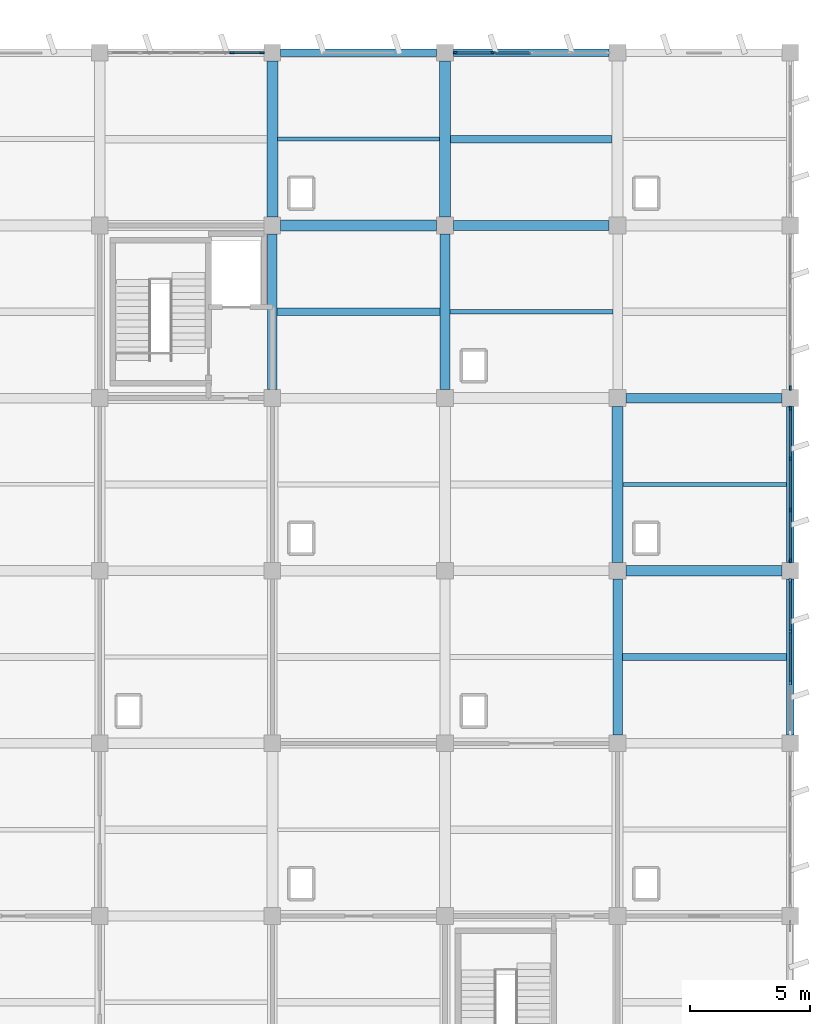
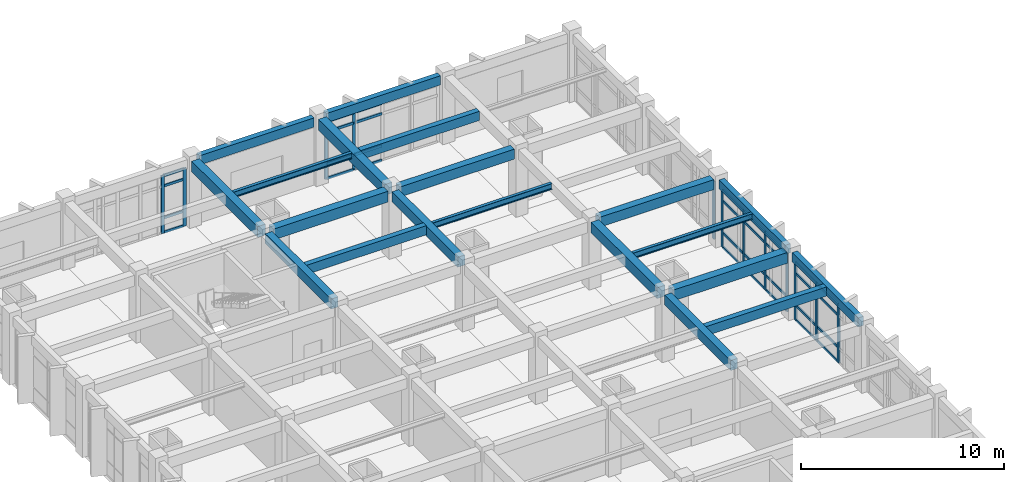
# One storey, part 27 of 70: 47 members, 17 beams, 5 elements without a shape of their own.
"""IFC4 building model written with IfcOpenShell, lengths in metres."""

from ifc_helpers import new_model, si_unit, direction, frame, origin, origin_2d, place, context, subcontext, project, spatial, rectangle, i_section, extrude, material, layer, layer_set, material_profile, profile_set, type_object, element, aggregate, save


model = new_model("IFC4")

# Units and contexts
model_context = context("Model", 3, precision=1e-05, world=origin(), true_north=direction((0.0, 1.0)))
body_context = subcontext(model_context, "Body", "Model", "MODEL_VIEW")
ifc_project = project(units=[si_unit("LENGTHUNIT", "METRE"), si_unit("AREAUNIT", "SQUARE_METRE"), si_unit("VOLUMEUNIT", "CUBIC_METRE"), si_unit("PLANEANGLEUNIT", "RADIAN"), si_unit("MASSUNIT", "GRAM", prefix="KILO")], contexts=[model_context])

# Site, building, storey
site_placement = place(None, origin())
site = spatial("IfcSite", under=ifc_project, at=site_placement, CompositionType="ELEMENT")
building_placement = place(site_placement, origin())
building = spatial("IfcBuilding", under=site, at=building_placement, Name="Kavelor Marine Aquarium", CompositionType="ELEMENT")
storey_placement = place(building_placement, frame((0.0, 0.0, 9.179931640625)))
storey = spatial("IfcBuildingStorey", under=building, at=storey_placement, Name="L02", CompositionType="ELEMENT", Elevation=9.179931640625)

# Beams
ifc_material_1 = material(Name="Concrete C40/50", Category="concrete")
ifc_material_profile_1 = material_profile(ifc_material_1, rectangle(XDim=0.449951171875, YDim=0.64990234375, at=origin_2d()), Name="RC-BM 450x650")
ifc_profile_set_1 = profile_set([ifc_material_profile_1], Name="Concrete C40/50")
beam_type_1 = type_object("IfcBeamType", Name="BM-B3", PredefinedType="BEAM", material=ifc_profile_set_1)
for number, where, z_axis, x_axis, name in (
    (1, (133.14990234375, 103.60009765625, 3.695068359375), (1.0, 0.0, 0.0), (0.0, 1.0, 0.0), "bm:x:L02:L03:18_14"),
    (2, (147.550048828125, 89.199951171875, 3.715087890625), (1.0, 0.0, 0.0), (0.0, 1.0, 0.0), "bm:x:L02:L03:20_12"),
    (3, (132.800048828125, 103.949951171875, 3.695068359375), (0.0, 1.0, 0.0), (-1.0, 0.0, 0.0), "bm:y:L02:L03:18_14"),
    (4, (140.0, 103.949951171875, 3.695068359375), (0.0, 1.0, 0.0), (-1.0, 0.0, 0.0), "bm:y:L02:L03:19_14"),
    (5, (147.199951171875, 89.550048828125, 3.715087890625), (0.0, 1.0, 0.0), (-1.0, 0.0, 0.0), "bm:y:L02:L03:20_12"),
):
    element("IfcBeam", number, at=place(storey_placement, frame(where, z_axis=z_axis, x_axis=x_axis)), inside=storey, type_object=beam_type_1, Name=name, PredefinedType="BEAM", context=body_context, shape_type="SweptSolid", body=[
        extrude(rectangle(XDim=0.449951171875, YDim=0.64990234375, at=origin_2d()), origin(), (0.0, 0.0, 1.0), 6.5),
    ])
ifc_material_2 = material(Name="Concrete C40/50", Category="concrete")
ifc_material_profile_2 = material_profile(ifc_material_2, rectangle(XDim=0.39990234375, YDim=0.60009765625, at=origin_2d()), Name="RC-BM 400x600")
ifc_profile_set_2 = profile_set([ifc_material_profile_2], Name="Concrete C40/50")
beam_type_2 = type_object("IfcBeamType", Name="BM-B4", PredefinedType="BEAM", material=ifc_profile_set_2)
for number, where, z_axis, x_axis, name in (
    (6, (140.35009765625, 103.60009765625, 3.719970703125), (1.0, 0.0, 0.0), (0.0, 1.0, 0.0), "bm:x:L02:L03:19_14"),
    (7, (147.550048828125, 96.39990234375, 3.739990234375), (1.0, 0.0, 0.0), (0.0, 1.0, 0.0), "bm:x:L02:L03:20_13"),
    (8, (132.800048828125, 96.75, 3.719970703125), (0.0, 1.0, 0.0), (-1.0, 0.0, 0.0), "bm:y:L02:L03:18_13"),
    (9, (140.0, 96.75, 3.719970703125), (0.0, 1.0, 0.0), (-1.0, 0.0, 0.0), "bm:y:L02:L03:19_13"),
    (10, (147.199951171875, 82.35009765625, 3.719970703125), (0.0, 1.0, 0.0), (-1.0, 0.0, 0.0), "bm:y:L02:L03:20_11"),
):
    element("IfcBeam", number, at=place(storey_placement, frame(where, z_axis=z_axis, x_axis=x_axis)), inside=storey, type_object=beam_type_2, Name=name, PredefinedType="BEAM", context=body_context, shape_type="SweptSolid", body=[
        extrude(rectangle(XDim=0.39990234375, YDim=0.60009765625, at=origin_2d()), origin(), (0.0, 0.0, 1.0), 6.5),
    ])
ifc_material_3 = material(Name="Concrete C40/50", Category="concrete")
ifc_material_profile_3 = material_profile(ifc_material_3, rectangle(XDim=0.300048828125, YDim=0.550048828125, at=origin_2d()), Name="RC-JS 300x550")
ifc_profile_set_3 = profile_set([ifc_material_profile_3], Name="Concrete C40/50")
beam_type_3 = type_object("IfcBeamType", Name="BM-JS2", PredefinedType="JOIST", material=ifc_profile_set_3)
beam_1_placement = place(storey_placement, frame((133.0, 100.0, 3.76513671875), z_axis=(1.0, 0.0, 0.0), x_axis=(0.0, 1.0, 0.0)))
element("IfcBeam", 11, at=beam_1_placement, inside=storey, type_object=beam_type_3, Name="js:L02:L03:18_13", PredefinedType="JOIST", context=body_context, shape_type="SweptSolid", body=[
    extrude(rectangle(XDim=0.300048828125, YDim=0.550048828125, at=origin_2d()), origin(), (0.0, 0.0, 1.0), 6.800048828125),
])
beam_2_placement = place(storey_placement, frame((140.22509765625, 107.199951171875, 3.76513671875), z_axis=(1.0, 0.0, 0.0), x_axis=(0.0, 1.0, 0.0)))
element("IfcBeam", 12, at=beam_2_placement, inside=storey, type_object=beam_type_3, Name="js:L02:L03:19_14", PredefinedType="JOIST", context=body_context, shape_type="SweptSolid", body=[
    extrude(rectangle(XDim=0.300048828125, YDim=0.550048828125, at=origin_2d()), origin(), (0.0, 0.0, 1.0), 6.75),
])
beam_3_placement = place(storey_placement, frame((147.39990234375, 85.60009765625, 3.76513671875), z_axis=(1.0, 0.0, 0.0), x_axis=(0.0, 1.0, 0.0)))
element("IfcBeam", 13, at=beam_3_placement, inside=storey, type_object=beam_type_3, Name="js:L02:L03:20_11", PredefinedType="JOIST", context=body_context, shape_type="SweptSolid", body=[
    extrude(rectangle(XDim=0.300048828125, YDim=0.550048828125, at=origin_2d()), origin(), (0.0, 0.0, 1.0), 6.85009765625),
])
ifc_material_4 = material(Name="Concrete C40/50", Category="concrete")
ifc_material_profile_4 = material_profile(ifc_material_4, rectangle(XDim=0.300048828125, YDim=0.550048828125, at=origin_2d()), Name="RC-SP 300x550")
ifc_profile_set_4 = profile_set([ifc_material_profile_4], Name="Concrete C40/50")
beam_type_4 = type_object("IfcBeamType", Name="BM-SP2", PredefinedType="SPANDREL", material=ifc_profile_set_4)
for number, where, z_axis, x_axis, name in (
    (14, (133.14990234375, 110.800048828125, 3.7451171875), (1.0, 0.0, 0.0), (0.0, 1.0, 0.0), "bm:x:L02:L03:18_15"),
    (15, (140.35009765625, 110.800048828125, 3.76513671875), (1.0, 0.0, 0.0), (0.0, 1.0, 0.0), "bm:x:L02:L03:19_15"),
    (16, (154.39990234375, 82.35009765625, 3.76513671875), (0.0, 1.0, 0.0), (-1.0, 0.0, 0.0), "bm:y:L02:L03:21_11"),
    (17, (154.39990234375, 89.550048828125, 3.76513671875), (0.0, 1.0, 0.0), (-1.0, 0.0, 0.0), "bm:y:L02:L03:21_12"),
):
    element("IfcBeam", number, at=place(storey_placement, frame(where, z_axis=z_axis, x_axis=x_axis)), inside=storey, type_object=beam_type_4, Name=name, PredefinedType="SPANDREL", context=body_context, shape_type="SweptSolid", body=[
        extrude(rectangle(XDim=0.300048828125, YDim=0.550048828125, at=origin_2d()), origin(), (0.0, 0.0, 1.0), 6.5),
    ])

# Curtain wall, members
ifc_material_5 = material(Name="Thermally Broken Aluminium and Low-E Glass", Category="aluminium")
ifc_layer_1 = layer(ifc_material_5, 0.196044921875)
ifc_layer_set_1 = layer_set([ifc_layer_1], Name="CW-SYS7")
curtain_wall_type_1 = type_object("IfcCurtainWallType", Name="CW-SYS7", PredefinedType="USERDEFINED", material=ifc_layer_set_1)
curtain_wall_1_placement = place(storey_placement, origin())
curtain_wall_1 = element("IfcCurtainWall", 18, at=curtain_wall_1_placement, inside=storey, type_object=curtain_wall_type_1, Name="cw:x:L02:17_15", ObjectType="Curtain Wall", PredefinedType="USERDEFINED")
ifc_material_6 = material(Name="Anodised Aluminium Alloy 6063-T6", Category="aluminium")
ifc_material_profile_5 = material_profile(ifc_material_6, rectangle(XDim=0.074951171875, YDim=0.179931640625, at=origin_2d()), Name="CW-MUL 75x180")
ifc_profile_set_5 = profile_set([ifc_material_profile_5], Name="Anodised Aluminium Alloy 6063-T6")
member_type_1 = type_object("IfcMemberType", Name="CWM-1", PredefinedType="MULLION", material=ifc_profile_set_5)
member_1_placement = place(storey_placement, frame((131.123046875, 110.800048828125, 0.0), z_axis=(0.0, 0.0, 1.0), x_axis=(0.0, 1.0, 0.0)))
member_1 = element("IfcMember", 19, at=member_1_placement, type_object=member_type_1, Name="CW07 mullion 5", PredefinedType="MULLION", context=body_context, shape_type="SweptSolid", body=[
    extrude(rectangle(XDim=0.074951171875, YDim=0.179931640625, at=origin_2d()), origin(), (0.0, 0.0, 1.0), 3.47998046875),
])
member_2_placement = place(storey_placement, frame((132.367431640625, 110.800048828125, 0.0), z_axis=(0.0, 0.0, 1.0), x_axis=(0.0, 1.0, 0.0)))
member_2 = element("IfcMember", 20, at=member_2_placement, type_object=member_type_1, Name="CW07 mullion 6", PredefinedType="MULLION", context=body_context, shape_type="SweptSolid", body=[
    extrude(rectangle(XDim=0.074951171875, YDim=0.179931640625, at=origin_2d()), origin(), (0.0, 0.0, 1.0), 3.47998046875),
])

ifc_material_7 = material(Name="Thermally Broken Aluminium and Low-E Glass", Category="aluminium")
ifc_layer_2 = layer(ifc_material_7, 0.2919921875)
ifc_layer_set_2 = layer_set([ifc_layer_2], Name="CW-SYS19")
curtain_wall_type_2 = type_object("IfcCurtainWallType", Name="CW-SYS19", PredefinedType="USERDEFINED", material=ifc_layer_set_2)
curtain_wall_2_placement = place(storey_placement, origin())
curtain_wall_2 = element("IfcCurtainWall", 21, at=curtain_wall_2_placement, inside=storey, type_object=curtain_wall_type_2, Name="cw:y:L02:21_12", ObjectType="Curtain Wall", PredefinedType="USERDEFINED")
member_3_placement = place(storey_placement, frame((154.39990234375, 89.632568359375, 0.0), z_axis=(0.0, 0.0, 1.0), x_axis=(-1.0, 0.0, 0.0)))
member_3 = element("IfcMember", 22, at=member_3_placement, type_object=member_type_1, Name="CW19 mullion 1", PredefinedType="MULLION", context=body_context, shape_type="SweptSolid", body=[
    extrude(rectangle(XDim=0.074951171875, YDim=0.179931640625, at=origin_2d()), origin(), (0.0, 0.0, 1.0), 3.47998046875),
])
member_4_placement = place(storey_placement, frame((154.39990234375, 91.731689453125, 0.0), z_axis=(0.0, 0.0, 1.0), x_axis=(-1.0, 0.0, 0.0)))
member_4 = element("IfcMember", 23, at=member_4_placement, type_object=member_type_1, Name="CW19 mullion 2", PredefinedType="MULLION", context=body_context, shape_type="SweptSolid", body=[
    extrude(rectangle(XDim=0.074951171875, YDim=0.179931640625, at=origin_2d()), origin(), (0.0, 0.0, 1.0), 3.47998046875),
])
member_5_placement = place(storey_placement, frame((154.39990234375, 93.868408203125, 0.0), z_axis=(0.0, 0.0, 1.0), x_axis=(-1.0, 0.0, 0.0)))
member_5 = element("IfcMember", 24, at=member_5_placement, type_object=member_type_1, Name="CW19 mullion 3", PredefinedType="MULLION", context=body_context, shape_type="SweptSolid", body=[
    extrude(rectangle(XDim=0.074951171875, YDim=0.179931640625, at=origin_2d()), origin(), (0.0, 0.0, 1.0), 3.47998046875),
])
member_6_placement = place(storey_placement, frame((154.39990234375, 95.967529296875, 0.0), z_axis=(0.0, 0.0, 1.0), x_axis=(-1.0, 0.0, 0.0)))
member_6 = element("IfcMember", 25, at=member_6_placement, type_object=member_type_1, Name="CW19 mullion 4", PredefinedType="MULLION", context=body_context, shape_type="SweptSolid", body=[
    extrude(rectangle(XDim=0.074951171875, YDim=0.179931640625, at=origin_2d()), origin(), (0.0, 0.0, 1.0), 3.47998046875),
])

ifc_material_8 = material(Name="Thermally Broken Aluminium and Low-E Glass", Category="aluminium")
ifc_layer_3 = layer(ifc_material_8, 0.22802734375)
ifc_layer_set_3 = layer_set([ifc_layer_3], Name="CW-SYS11")
curtain_wall_type_3 = type_object("IfcCurtainWallType", Name="CW-SYS11", PredefinedType="USERDEFINED", material=ifc_layer_set_3)
curtain_wall_3_placement = place(storey_placement, origin())
curtain_wall_3 = element("IfcCurtainWall", 26, at=curtain_wall_3_placement, inside=storey, type_object=curtain_wall_type_3, Name="cw:x:L02:19_15", ObjectType="Curtain Wall", PredefinedType="USERDEFINED")
ifc_material_9 = material(Name="Anodised Aluminium Alloy 6063-T6", Category="aluminium")
ifc_material_profile_6 = material_profile(ifc_material_9, rectangle(XDim=0.080078125, YDim=0.18505859375, at=origin_2d()), Name="CW-MUL 80x185")
ifc_profile_set_6 = profile_set([ifc_material_profile_6], Name="Anodised Aluminium Alloy 6063-T6")
member_type_2 = type_object("IfcMemberType", Name="CWM-2", PredefinedType="MULLION", material=ifc_profile_set_6)
member_7_placement = place(storey_placement, frame((140.427490234375, 110.800048828125, 0.0), z_axis=(0.0, 0.0, 1.0), x_axis=(0.0, 1.0, 0.0)))
member_7 = element("IfcMember", 27, at=member_7_placement, type_object=member_type_2, Name="CW11 mullion 1", PredefinedType="MULLION", context=body_context, shape_type="SweptSolid", body=[
    extrude(rectangle(XDim=0.080078125, YDim=0.18505859375, at=origin_2d()), origin(), (0.0, 0.0, 1.0), 3.47998046875),
])
member_8_placement = place(storey_placement, frame((141.99755859375, 110.800048828125, 0.0), z_axis=(0.0, 0.0, 1.0), x_axis=(0.0, 1.0, 0.0)))
member_8 = element("IfcMember", 28, at=member_8_placement, type_object=member_type_2, Name="CW11 mullion 2", PredefinedType="MULLION", context=body_context, shape_type="SweptSolid", body=[
    extrude(rectangle(XDim=0.080078125, YDim=0.18505859375, at=origin_2d()), origin(), (0.0, 0.0, 1.0), 3.47998046875),
])

# Curtain wall, member
ifc_material_10 = material(Name="Thermally Broken Aluminium and Low-E Glass", Category="aluminium")
ifc_layer_4 = layer(ifc_material_10, 0.300048828125)
ifc_layer_set_4 = layer_set([ifc_layer_4], Name="CW-SYS20")
curtain_wall_type_4 = type_object("IfcCurtainWallType", Name="CW-SYS20", PredefinedType="USERDEFINED", material=ifc_layer_set_4)
curtain_wall_4_placement = place(storey_placement, origin())
curtain_wall_4 = element("IfcCurtainWall", 29, at=curtain_wall_4_placement, inside=storey, type_object=curtain_wall_type_4, Name="cw:y:L02:21_13", ObjectType="Curtain Wall", PredefinedType="USERDEFINED")
member_9_placement = place(storey_placement, frame((154.39990234375, 96.827392578125, 0.0), z_axis=(0.0, 0.0, 1.0), x_axis=(-1.0, 0.0, 0.0)))
member_9 = element("IfcMember", 30, at=member_9_placement, type_object=member_type_2, Name="CW20 mullion 1", PredefinedType="MULLION", context=body_context, shape_type="SweptSolid", body=[
    extrude(rectangle(XDim=0.080078125, YDim=0.18505859375, at=origin_2d()), origin(), (0.0, 0.0, 1.0), 3.47998046875),
])
aggregate(curtain_wall_4, [member_9])

# Curtain wall, members
ifc_material_11 = material(Name="Thermally Broken Aluminium and Low-E Glass", Category="aluminium")
ifc_layer_5 = layer(ifc_material_11, 0.283935546875)
ifc_layer_set_5 = layer_set([ifc_layer_5], Name="CW-SYS18")
curtain_wall_type_5 = type_object("IfcCurtainWallType", Name="CW-SYS18", PredefinedType="USERDEFINED", material=ifc_layer_set_5)
curtain_wall_5_placement = place(storey_placement, origin())
curtain_wall_5 = element("IfcCurtainWall", 31, at=curtain_wall_5_placement, inside=storey, type_object=curtain_wall_type_5, Name="cw:y:L02:21_11", ObjectType="Curtain Wall", PredefinedType="USERDEFINED")
ifc_material_12 = material(Name="Anodised Aluminium Alloy 6063-T6", Category="aluminium")
ifc_material_profile_7 = material_profile(ifc_material_12, rectangle(XDim=0.0849609375, YDim=0.18994140625, at=origin_2d()), Name="CW-MUL 85x190")
ifc_profile_set_7 = profile_set([ifc_material_profile_7], Name="Anodised Aluminium Alloy 6063-T6")
member_type_3 = type_object("IfcMemberType", Name="CWM-3", PredefinedType="MULLION", material=ifc_profile_set_7)
member_10_placement = place(storey_placement, frame((154.39990234375, 84.53173828125, 0.0), z_axis=(0.0, 0.0, 1.0), x_axis=(-1.0, 0.0, 0.0)))
member_10 = element("IfcMember", 32, at=member_10_placement, type_object=member_type_3, Name="CW18 mullion 2", PredefinedType="MULLION", context=body_context, shape_type="SweptSolid", body=[
    extrude(rectangle(XDim=0.0849609375, YDim=0.18994140625, at=origin_2d()), origin(), (0.0, 0.0, 1.0), 3.47998046875),
])
member_11_placement = place(storey_placement, frame((154.39990234375, 86.668212890625, 0.0), z_axis=(0.0, 0.0, 1.0), x_axis=(-1.0, 0.0, 0.0)))
member_11 = element("IfcMember", 33, at=member_11_placement, type_object=member_type_3, Name="CW18 mullion 3", PredefinedType="MULLION", context=body_context, shape_type="SweptSolid", body=[
    extrude(rectangle(XDim=0.0849609375, YDim=0.18994140625, at=origin_2d()), origin(), (0.0, 0.0, 1.0), 3.47998046875),
])
member_12_placement = place(storey_placement, frame((154.39990234375, 88.77490234375, 0.0), z_axis=(0.0, 0.0, 1.0), x_axis=(-1.0, 0.0, 0.0)))
member_12 = element("IfcMember", 34, at=member_12_placement, type_object=member_type_3, Name="CW18 mullion 4", PredefinedType="MULLION", context=body_context, shape_type="SweptSolid", body=[
    extrude(rectangle(XDim=0.0849609375, YDim=0.18994140625, at=origin_2d()), origin(), (0.0, 0.0, 1.0), 3.47998046875),
])

# Member
ifc_material_13 = material(Name="Anodised Aluminium Alloy 6063-T6", Category="aluminium")
ifc_material_profile_8 = material_profile(ifc_material_13, rectangle(XDim=0.074951171875, YDim=0.14990234375, at=origin_2d()), Name="CW-TRN 75x150")
ifc_profile_set_8 = profile_set([ifc_material_profile_8], Name="Anodised Aluminium Alloy 6063-T6")
member_type_4 = type_object("IfcMemberType", Name="CWT-1", PredefinedType="USERDEFINED", material=ifc_profile_set_8)
member_13_placement = place(storey_placement, frame((131.160400390625, 110.800048828125, 0.03759765625), z_axis=(1.0, 0.0, 0.0), x_axis=(0.0, 1.0, 0.0)))
member_13 = element("IfcMember", 35, at=member_13_placement, type_object=member_type_4, Name="CW07 transom 5.1", ObjectType="TRANSOM", PredefinedType="USERDEFINED", context=body_context, shape_type="SweptSolid", body=[
    extrude(rectangle(XDim=0.074951171875, YDim=0.14990234375, at=origin_2d()), origin(), (0.0, 0.0, 1.0), 1.169677734375),
])

member_14_placement = place(storey_placement, frame((131.160400390625, 110.800048828125, 0.900146484375), z_axis=(1.0, 0.0, 0.0), x_axis=(0.0, 1.0, 0.0)))
member_14 = element("IfcMember", 36, at=member_14_placement, type_object=member_type_4, Name="CW07 transom 5.2", ObjectType="TRANSOM", PredefinedType="USERDEFINED", context=body_context, shape_type="SweptSolid", body=[
    extrude(rectangle(XDim=0.074951171875, YDim=0.14990234375, at=origin_2d()), origin(), (0.0, 0.0, 1.0), 1.169677734375),
])

member_15_placement = place(storey_placement, frame((131.160400390625, 110.800048828125, 2.830078125), z_axis=(1.0, 0.0, 0.0), x_axis=(0.0, 1.0, 0.0)))
member_15 = element("IfcMember", 37, at=member_15_placement, type_object=member_type_4, Name="CW07 transom 5.3", ObjectType="TRANSOM", PredefinedType="USERDEFINED", context=body_context, shape_type="SweptSolid", body=[
    extrude(rectangle(XDim=0.074951171875, YDim=0.14990234375, at=origin_2d()), origin(), (0.0, 0.0, 1.0), 1.169677734375),
])

member_16_placement = place(storey_placement, frame((131.160400390625, 110.800048828125, 3.442626953125), z_axis=(1.0, 0.0, 0.0), x_axis=(0.0, 1.0, 0.0)))
member_16 = element("IfcMember", 38, at=member_16_placement, type_object=member_type_4, Name="CW07 transom 5.4", ObjectType="TRANSOM", PredefinedType="USERDEFINED", context=body_context, shape_type="SweptSolid", body=[
    extrude(rectangle(XDim=0.074951171875, YDim=0.14990234375, at=origin_2d()), origin(), (0.0, 0.0, 1.0), 1.169677734375),
])

aggregate(curtain_wall_1, [member_1, member_2, member_13, member_14, member_15, member_16])

member_17_placement = place(storey_placement, frame((154.39990234375, 84.561767578125, 0.03759765625), z_axis=(0.0, 1.0, 0.0), x_axis=(-1.0, 0.0, 0.0)))
member_17 = element("IfcMember", 39, at=member_17_placement, type_object=member_type_4, Name="CW18 transom 2.1", ObjectType="TRANSOM", PredefinedType="USERDEFINED", context=body_context, shape_type="SweptSolid", body=[
    extrude(rectangle(XDim=0.074951171875, YDim=0.14990234375, at=origin_2d()), origin(), (0.0, 0.0, 1.0), 2.07666015625),
])

member_18_placement = place(storey_placement, frame((154.39990234375, 84.561767578125, 0.900146484375), z_axis=(0.0, 1.0, 0.0), x_axis=(-1.0, 0.0, 0.0)))
member_18 = element("IfcMember", 40, at=member_18_placement, type_object=member_type_4, Name="CW18 transom 2.2", ObjectType="TRANSOM", PredefinedType="USERDEFINED", context=body_context, shape_type="SweptSolid", body=[
    extrude(rectangle(XDim=0.074951171875, YDim=0.14990234375, at=origin_2d()), origin(), (0.0, 0.0, 1.0), 2.07666015625),
])

member_19_placement = place(storey_placement, frame((154.39990234375, 84.561767578125, 2.830078125), z_axis=(0.0, 1.0, 0.0), x_axis=(-1.0, 0.0, 0.0)))
member_19 = element("IfcMember", 41, at=member_19_placement, type_object=member_type_4, Name="CW18 transom 2.3", ObjectType="TRANSOM", PredefinedType="USERDEFINED", context=body_context, shape_type="SweptSolid", body=[
    extrude(rectangle(XDim=0.074951171875, YDim=0.14990234375, at=origin_2d()), origin(), (0.0, 0.0, 1.0), 2.07666015625),
])

member_20_placement = place(storey_placement, frame((154.39990234375, 84.561767578125, 3.442626953125), z_axis=(0.0, 1.0, 0.0), x_axis=(-1.0, 0.0, 0.0)))
member_20 = element("IfcMember", 42, at=member_20_placement, type_object=member_type_4, Name="CW18 transom 2.4", ObjectType="TRANSOM", PredefinedType="USERDEFINED", context=body_context, shape_type="SweptSolid", body=[
    extrude(rectangle(XDim=0.074951171875, YDim=0.14990234375, at=origin_2d()), origin(), (0.0, 0.0, 1.0), 2.07666015625),
])

member_21_placement = place(storey_placement, frame((154.39990234375, 86.6982421875, 0.03759765625), z_axis=(0.0, 1.0, 0.0), x_axis=(-1.0, 0.0, 0.0)))
member_21 = element("IfcMember", 43, at=member_21_placement, type_object=member_type_4, Name="CW18 transom 3.1", ObjectType="TRANSOM", PredefinedType="USERDEFINED", context=body_context, shape_type="SweptSolid", body=[
    extrude(rectangle(XDim=0.074951171875, YDim=0.14990234375, at=origin_2d()), origin(), (0.0, 0.0, 1.0), 2.046875),
])

member_22_placement = place(storey_placement, frame((154.39990234375, 86.6982421875, 0.900146484375), z_axis=(0.0, 1.0, 0.0), x_axis=(-1.0, 0.0, 0.0)))
member_22 = element("IfcMember", 44, at=member_22_placement, type_object=member_type_4, Name="CW18 transom 3.2", ObjectType="TRANSOM", PredefinedType="USERDEFINED", context=body_context, shape_type="SweptSolid", body=[
    extrude(rectangle(XDim=0.074951171875, YDim=0.14990234375, at=origin_2d()), origin(), (0.0, 0.0, 1.0), 2.046875),
])

member_23_placement = place(storey_placement, frame((154.39990234375, 86.6982421875, 2.830078125), z_axis=(0.0, 1.0, 0.0), x_axis=(-1.0, 0.0, 0.0)))
member_23 = element("IfcMember", 45, at=member_23_placement, type_object=member_type_4, Name="CW18 transom 3.3", ObjectType="TRANSOM", PredefinedType="USERDEFINED", context=body_context, shape_type="SweptSolid", body=[
    extrude(rectangle(XDim=0.074951171875, YDim=0.14990234375, at=origin_2d()), origin(), (0.0, 0.0, 1.0), 2.046875),
])

member_24_placement = place(storey_placement, frame((154.39990234375, 86.6982421875, 3.442626953125), z_axis=(0.0, 1.0, 0.0), x_axis=(-1.0, 0.0, 0.0)))
member_24 = element("IfcMember", 46, at=member_24_placement, type_object=member_type_4, Name="CW18 transom 3.4", ObjectType="TRANSOM", PredefinedType="USERDEFINED", context=body_context, shape_type="SweptSolid", body=[
    extrude(rectangle(XDim=0.074951171875, YDim=0.14990234375, at=origin_2d()), origin(), (0.0, 0.0, 1.0), 2.046875),
])

aggregate(curtain_wall_5, [member_10, member_11, member_12, member_17, member_18, member_19, member_20, member_21, member_22, member_23, member_24])

member_25_placement = place(storey_placement, frame((154.39990234375, 89.669921875, 0.03759765625), z_axis=(0.0, 1.0, 0.0), x_axis=(-1.0, 0.0, 0.0)))
member_25 = element("IfcMember", 47, at=member_25_placement, type_object=member_type_4, Name="CW19 transom 1.1", ObjectType="TRANSOM", PredefinedType="USERDEFINED", context=body_context, shape_type="SweptSolid", body=[
    extrude(rectangle(XDim=0.074951171875, YDim=0.14990234375, at=origin_2d()), origin(), (0.0, 0.0, 1.0), 2.024169921875),
])

member_26_placement = place(storey_placement, frame((154.39990234375, 89.669921875, 0.900146484375), z_axis=(0.0, 1.0, 0.0), x_axis=(-1.0, 0.0, 0.0)))
member_26 = element("IfcMember", 48, at=member_26_placement, type_object=member_type_4, Name="CW19 transom 1.2", ObjectType="TRANSOM", PredefinedType="USERDEFINED", context=body_context, shape_type="SweptSolid", body=[
    extrude(rectangle(XDim=0.074951171875, YDim=0.14990234375, at=origin_2d()), origin(), (0.0, 0.0, 1.0), 2.024169921875),
])

member_27_placement = place(storey_placement, frame((154.39990234375, 89.669921875, 2.830078125), z_axis=(0.0, 1.0, 0.0), x_axis=(-1.0, 0.0, 0.0)))
member_27 = element("IfcMember", 49, at=member_27_placement, type_object=member_type_4, Name="CW19 transom 1.3", ObjectType="TRANSOM", PredefinedType="USERDEFINED", context=body_context, shape_type="SweptSolid", body=[
    extrude(rectangle(XDim=0.074951171875, YDim=0.14990234375, at=origin_2d()), origin(), (0.0, 0.0, 1.0), 2.024169921875),
])

member_28_placement = place(storey_placement, frame((154.39990234375, 89.669921875, 3.442626953125), z_axis=(0.0, 1.0, 0.0), x_axis=(-1.0, 0.0, 0.0)))
member_28 = element("IfcMember", 50, at=member_28_placement, type_object=member_type_4, Name="CW19 transom 1.4", ObjectType="TRANSOM", PredefinedType="USERDEFINED", context=body_context, shape_type="SweptSolid", body=[
    extrude(rectangle(XDim=0.074951171875, YDim=0.14990234375, at=origin_2d()), origin(), (0.0, 0.0, 1.0), 2.024169921875),
])

member_29_placement = place(storey_placement, frame((154.39990234375, 91.769287109375, 0.03759765625), z_axis=(0.0, 1.0, 0.0), x_axis=(-1.0, 0.0, 0.0)))
member_29 = element("IfcMember", 51, at=member_29_placement, type_object=member_type_4, Name="CW19 transom 2.1", ObjectType="TRANSOM", PredefinedType="USERDEFINED", context=body_context, shape_type="SweptSolid", body=[
    extrude(rectangle(XDim=0.074951171875, YDim=0.14990234375, at=origin_2d()), origin(), (0.0, 0.0, 1.0), 2.0615234375),
])

member_30_placement = place(storey_placement, frame((154.39990234375, 91.769287109375, 0.900146484375), z_axis=(0.0, 1.0, 0.0), x_axis=(-1.0, 0.0, 0.0)))
member_30 = element("IfcMember", 52, at=member_30_placement, type_object=member_type_4, Name="CW19 transom 2.2", ObjectType="TRANSOM", PredefinedType="USERDEFINED", context=body_context, shape_type="SweptSolid", body=[
    extrude(rectangle(XDim=0.074951171875, YDim=0.14990234375, at=origin_2d()), origin(), (0.0, 0.0, 1.0), 2.0615234375),
])

member_31_placement = place(storey_placement, frame((154.39990234375, 91.769287109375, 2.830078125), z_axis=(0.0, 1.0, 0.0), x_axis=(-1.0, 0.0, 0.0)))
member_31 = element("IfcMember", 53, at=member_31_placement, type_object=member_type_4, Name="CW19 transom 2.3", ObjectType="TRANSOM", PredefinedType="USERDEFINED", context=body_context, shape_type="SweptSolid", body=[
    extrude(rectangle(XDim=0.074951171875, YDim=0.14990234375, at=origin_2d()), origin(), (0.0, 0.0, 1.0), 2.0615234375),
])

member_32_placement = place(storey_placement, frame((154.39990234375, 91.769287109375, 3.442626953125), z_axis=(0.0, 1.0, 0.0), x_axis=(-1.0, 0.0, 0.0)))
member_32 = element("IfcMember", 54, at=member_32_placement, type_object=member_type_4, Name="CW19 transom 2.4", ObjectType="TRANSOM", PredefinedType="USERDEFINED", context=body_context, shape_type="SweptSolid", body=[
    extrude(rectangle(XDim=0.074951171875, YDim=0.14990234375, at=origin_2d()), origin(), (0.0, 0.0, 1.0), 2.0615234375),
])

member_33_placement = place(storey_placement, frame((154.39990234375, 93.90576171875, 0.03759765625), z_axis=(0.0, 1.0, 0.0), x_axis=(-1.0, 0.0, 0.0)))
member_33 = element("IfcMember", 55, at=member_33_placement, type_object=member_type_4, Name="CW19 transom 3.1", ObjectType="TRANSOM", PredefinedType="USERDEFINED", context=body_context, shape_type="SweptSolid", body=[
    extrude(rectangle(XDim=0.074951171875, YDim=0.14990234375, at=origin_2d()), origin(), (0.0, 0.0, 1.0), 2.024169921875),
])

member_34_placement = place(storey_placement, frame((154.39990234375, 93.90576171875, 0.900146484375), z_axis=(0.0, 1.0, 0.0), x_axis=(-1.0, 0.0, 0.0)))
member_34 = element("IfcMember", 56, at=member_34_placement, type_object=member_type_4, Name="CW19 transom 3.2", ObjectType="TRANSOM", PredefinedType="USERDEFINED", context=body_context, shape_type="SweptSolid", body=[
    extrude(rectangle(XDim=0.074951171875, YDim=0.14990234375, at=origin_2d()), origin(), (0.0, 0.0, 1.0), 2.024169921875),
])

member_35_placement = place(storey_placement, frame((154.39990234375, 93.90576171875, 2.830078125), z_axis=(0.0, 1.0, 0.0), x_axis=(-1.0, 0.0, 0.0)))
member_35 = element("IfcMember", 57, at=member_35_placement, type_object=member_type_4, Name="CW19 transom 3.3", ObjectType="TRANSOM", PredefinedType="USERDEFINED", context=body_context, shape_type="SweptSolid", body=[
    extrude(rectangle(XDim=0.074951171875, YDim=0.14990234375, at=origin_2d()), origin(), (0.0, 0.0, 1.0), 2.024169921875),
])

member_36_placement = place(storey_placement, frame((154.39990234375, 93.90576171875, 3.442626953125), z_axis=(0.0, 1.0, 0.0), x_axis=(-1.0, 0.0, 0.0)))
member_36 = element("IfcMember", 58, at=member_36_placement, type_object=member_type_4, Name="CW19 transom 3.4", ObjectType="TRANSOM", PredefinedType="USERDEFINED", context=body_context, shape_type="SweptSolid", body=[
    extrude(rectangle(XDim=0.074951171875, YDim=0.14990234375, at=origin_2d()), origin(), (0.0, 0.0, 1.0), 2.024169921875),
])

aggregate(curtain_wall_2, [member_3, member_4, member_5, member_6, member_25, member_26, member_27, member_28, member_29, member_30, member_31, member_32, member_33, member_34, member_35, member_36])

ifc_material_14 = material(Name="Anodised Aluminium Alloy 6063-T6", Category="aluminium")
ifc_material_profile_9 = material_profile(ifc_material_14, rectangle(XDim=0.0849609375, YDim=0.159912109375, at=origin_2d()), Name="CW-TRN 85x160")
ifc_profile_set_9 = profile_set([ifc_material_profile_9], Name="Anodised Aluminium Alloy 6063-T6")
member_type_5 = type_object("IfcMemberType", Name="CWT-3", PredefinedType="USERDEFINED", material=ifc_profile_set_9)
member_37_placement = place(storey_placement, frame((140.4599609375, 110.800048828125, 0.030029296875), z_axis=(1.0, 0.0, 0.0), x_axis=(0.0, 1.0, 0.0)))
member_37 = element("IfcMember", 59, at=member_37_placement, type_object=member_type_5, Name="CW11 transom 1.1", ObjectType="TRANSOM", PredefinedType="USERDEFINED", context=body_context, shape_type="SweptSolid", body=[
    extrude(rectangle(XDim=0.0849609375, YDim=0.159912109375, at=origin_2d()), origin(), (0.0, 0.0, 1.0), 1.505126953125),
])

member_38_placement = place(storey_placement, frame((140.4599609375, 110.800048828125, 0.900146484375), z_axis=(1.0, 0.0, 0.0), x_axis=(0.0, 1.0, 0.0)))
member_38 = element("IfcMember", 60, at=member_38_placement, type_object=member_type_5, Name="CW11 transom 1.2", ObjectType="TRANSOM", PredefinedType="USERDEFINED", context=body_context, shape_type="SweptSolid", body=[
    extrude(rectangle(XDim=0.0849609375, YDim=0.159912109375, at=origin_2d()), origin(), (0.0, 0.0, 1.0), 1.505126953125),
])

member_39_placement = place(storey_placement, frame((140.4599609375, 110.800048828125, 2.830078125), z_axis=(1.0, 0.0, 0.0), x_axis=(0.0, 1.0, 0.0)))
member_39 = element("IfcMember", 61, at=member_39_placement, type_object=member_type_5, Name="CW11 transom 1.3", ObjectType="TRANSOM", PredefinedType="USERDEFINED", context=body_context, shape_type="SweptSolid", body=[
    extrude(rectangle(XDim=0.0849609375, YDim=0.159912109375, at=origin_2d()), origin(), (0.0, 0.0, 1.0), 1.505126953125),
])

member_40_placement = place(storey_placement, frame((140.4599609375, 110.800048828125, 3.449951171875), z_axis=(1.0, 0.0, 0.0), x_axis=(0.0, 1.0, 0.0)))
member_40 = element("IfcMember", 62, at=member_40_placement, type_object=member_type_5, Name="CW11 transom 1.4", ObjectType="TRANSOM", PredefinedType="USERDEFINED", context=body_context, shape_type="SweptSolid", body=[
    extrude(rectangle(XDim=0.0849609375, YDim=0.159912109375, at=origin_2d()), origin(), (0.0, 0.0, 1.0), 1.505126953125),
])

member_41_placement = place(storey_placement, frame((142.030029296875, 110.800048828125, 0.030029296875), z_axis=(1.0, 0.0, 0.0), x_axis=(0.0, 1.0, 0.0)))
member_41 = element("IfcMember", 63, at=member_41_placement, type_object=member_type_5, Name="CW11 transom 2.1", ObjectType="TRANSOM", PredefinedType="USERDEFINED", context=body_context, shape_type="SweptSolid", body=[
    extrude(rectangle(XDim=0.0849609375, YDim=0.159912109375, at=origin_2d()), origin(), (0.0, 0.0, 1.0), 1.537353515625),
])

member_42_placement = place(storey_placement, frame((142.030029296875, 110.800048828125, 0.900146484375), z_axis=(1.0, 0.0, 0.0), x_axis=(0.0, 1.0, 0.0)))
member_42 = element("IfcMember", 64, at=member_42_placement, type_object=member_type_5, Name="CW11 transom 2.2", ObjectType="TRANSOM", PredefinedType="USERDEFINED", context=body_context, shape_type="SweptSolid", body=[
    extrude(rectangle(XDim=0.0849609375, YDim=0.159912109375, at=origin_2d()), origin(), (0.0, 0.0, 1.0), 1.537353515625),
])

member_43_placement = place(storey_placement, frame((142.030029296875, 110.800048828125, 2.830078125), z_axis=(1.0, 0.0, 0.0), x_axis=(0.0, 1.0, 0.0)))
member_43 = element("IfcMember", 65, at=member_43_placement, type_object=member_type_5, Name="CW11 transom 2.3", ObjectType="TRANSOM", PredefinedType="USERDEFINED", context=body_context, shape_type="SweptSolid", body=[
    extrude(rectangle(XDim=0.0849609375, YDim=0.159912109375, at=origin_2d()), origin(), (0.0, 0.0, 1.0), 1.537353515625),
])

member_44_placement = place(storey_placement, frame((142.030029296875, 110.800048828125, 3.449951171875), z_axis=(1.0, 0.0, 0.0), x_axis=(0.0, 1.0, 0.0)))
member_44 = element("IfcMember", 66, at=member_44_placement, type_object=member_type_5, Name="CW11 transom 2.4", ObjectType="TRANSOM", PredefinedType="USERDEFINED", context=body_context, shape_type="SweptSolid", body=[
    extrude(rectangle(XDim=0.0849609375, YDim=0.159912109375, at=origin_2d()), origin(), (0.0, 0.0, 1.0), 1.537353515625),
])

aggregate(curtain_wall_3, [member_7, member_8, member_37, member_38, member_39, member_40, member_41, member_42, member_43, member_44])

# Members
ifc_material_15 = material(Name="Steel S355", Category="steel")
ifc_material_profile_10 = material_profile(ifc_material_15, i_section(OverallWidth=0.169921875, OverallDepth=0.360107421875, WebThickness=0.008056640625, FlangeThickness=0.0126953125, FilletRadius=0.01806640625, at=origin_2d()), Name="IPE 360")
ifc_profile_set_10 = profile_set([ifc_material_profile_10], Name="Steel S355")
member_type_6 = type_object("IfcMemberType", Name="PR-SJ3", PredefinedType="PURLIN", material=ifc_profile_set_10)
member_45_placement = place(storey_placement, frame((133.02490234375, 107.199951171875, 3.840087890625), z_axis=(1.0, 0.0, 0.0), x_axis=(0.0, 1.0, 0.0)))
element("IfcMember", 67, at=member_45_placement, inside=storey, type_object=member_type_6, Name="js:L02:L03:18_14", PredefinedType="PURLIN", context=body_context, shape_type="SweptSolid", body=[
    extrude(i_section(OverallWidth=0.169921875, OverallDepth=0.360107421875, WebThickness=0.008056640625, FlangeThickness=0.0126953125, FilletRadius=0.01806640625, at=origin_2d()), origin(), (0.0, 0.0, 1.0), 6.75),
])
member_46_placement = place(storey_placement, frame((140.199951171875, 100.0, 3.840087890625), z_axis=(1.0, 0.0, 0.0), x_axis=(0.0, 1.0, 0.0)))
element("IfcMember", 68, at=member_46_placement, inside=storey, type_object=member_type_6, Name="js:L02:L03:19_13", PredefinedType="PURLIN", context=body_context, shape_type="SweptSolid", body=[
    extrude(i_section(OverallWidth=0.169921875, OverallDepth=0.360107421875, WebThickness=0.008056640625, FlangeThickness=0.0126953125, FilletRadius=0.01806640625, at=origin_2d()), origin(), (0.0, 0.0, 1.0), 6.800048828125),
])
member_47_placement = place(storey_placement, frame((147.425048828125, 92.800048828125, 3.860107421875), z_axis=(1.0, 0.0, 0.0), x_axis=(0.0, 1.0, 0.0)))
element("IfcMember", 69, at=member_47_placement, inside=storey, type_object=member_type_6, Name="js:L02:L03:20_12", PredefinedType="PURLIN", context=body_context, shape_type="SweptSolid", body=[
    extrude(i_section(OverallWidth=0.169921875, OverallDepth=0.360107421875, WebThickness=0.008056640625, FlangeThickness=0.0126953125, FilletRadius=0.01806640625, at=origin_2d()), origin(), (0.0, 0.0, 1.0), 6.824951171875),
])

save(model, "model.ifc")
